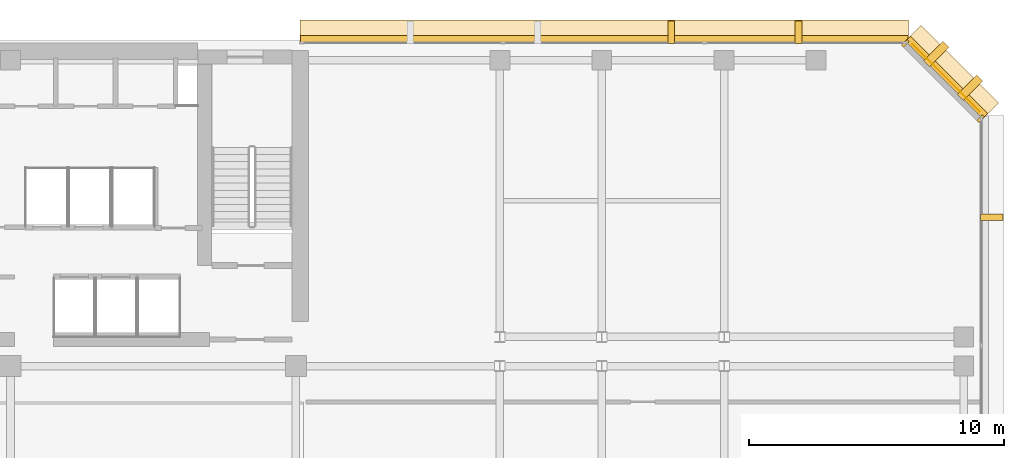
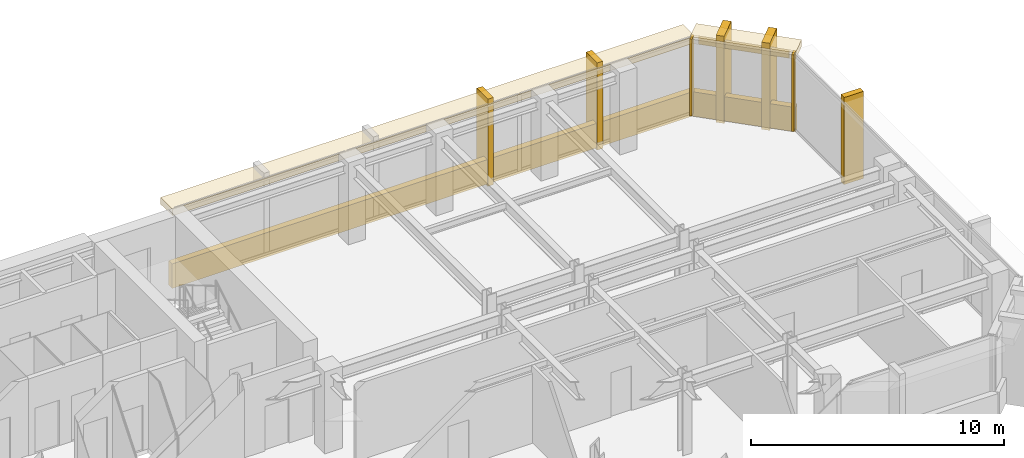
# One storey, part 12 of 12: 12 coverings.
"""IFC4 building model written with IfcOpenShell, lengths in metres."""

from ifc_helpers import new_model, si_unit, direction, frame, origin, origin_2d, place, context, subcontext, project, spatial, rectangle, extrude, material, layer, layer_set, type_object, element, save


model = new_model("IFC4")

# Units and contexts
model_context = context("Model", 3, precision=1e-05, world=origin(), true_north=direction((0.0, 1.0)))
body_context = subcontext(model_context, "Body", "Model", "MODEL_VIEW")
ifc_project = project(units=[si_unit("LENGTHUNIT", "METRE"), si_unit("AREAUNIT", "SQUARE_METRE"), si_unit("VOLUMEUNIT", "CUBIC_METRE"), si_unit("PLANEANGLEUNIT", "RADIAN"), si_unit("MASSUNIT", "GRAM", prefix="KILO")], contexts=[model_context])

# Site, building, storey
site_placement = place(None, origin())
site = spatial("IfcSite", under=ifc_project, at=site_placement, CompositionType="ELEMENT")
building_placement = place(site_placement, origin())
building = spatial("IfcBuilding", under=site, at=building_placement, Name="Kefirva Bronze Tower", CompositionType="ELEMENT")
storey_placement = place(building_placement, frame((0.0, 0.0, 195.360107421875)))
storey = spatial("IfcBuildingStorey", under=building, at=storey_placement, Name="L47", CompositionType="ELEMENT", Elevation=195.360107421875)

# Coverings
ifc_material = material(Name="Bronze anodised aluminium", Category="aluminium")
ifc_layer_1 = layer(ifc_material, 0.02001953125, Name="Bronze anodised aluminium")
ifc_layer_set_1 = layer_set([ifc_layer_1], Name="Bronze anodised aluminium")
covering_type_1 = type_object("IfcCoveringType", Name="Anodised Bronze Spandrel Cladding 20mm", PredefinedType="CLADDING", material=ifc_layer_set_1)
covering_1_placement = place(storey_placement, frame((48.70703125, 44.507080078125, 3.2900390625), z_axis=(0.0, 0.0, 1.0), x_axis=(-0.707106781187, 0.707106781187, 0.0)))
element("IfcCovering", 1, at=covering_1_placement, inside=storey, type_object=covering_type_1, Name="L47 Bronze Spandrel Cladding 5", PredefinedType="CLADDING", context=body_context, shape_type="SweptSolid", body=[
    extrude(rectangle(XDim=3.719482421875, YDim=0.02001953125, at=origin_2d()), origin(), (0.0, 0.0, 1.0), 0.39990234375),
])
for number, where, z_axis, x_axis, name in (
    (2, (50.06201171875, 42.91162109375, 0.0), (0.0, 0.0, 1.0), (-0.707106781187, 0.707106781187, 0.0), "L47 Facade Joint Closure Panel 5S"),
    (3, (47.11181640625, 45.862060546875, 0.0), (0.0, 0.0, 1.0), (-0.707106781187, 0.707106781187, 0.0), "L47 Facade Joint Closure Panel 5E"),
):
    element("IfcCovering", number, at=place(storey_placement, frame(where, z_axis=z_axis, x_axis=x_axis)), inside=storey, type_object=covering_type_1, Name=name, PredefinedType="CLADDING", context=body_context, shape_type="SweptSolid", body=[
        extrude(rectangle(XDim=0.10009765625, YDim=0.320068359375, at=origin_2d()), origin(), (0.0, 0.0, 1.0), 3.7099609375),
    ])
covering_2_placement = place(storey_placement, frame((48.728271484375, 44.5283203125, -0.16015625), z_axis=(0.0, 0.0, 1.0), x_axis=(-0.707106781187, 0.707106781187, 0.0)))
element("IfcCovering", 4, at=covering_2_placement, inside=storey, type_object=covering_type_1, Name="L47 Streamline Horizontal Spandrel Band 7", PredefinedType="CLADDING", context=body_context, shape_type="SweptSolid", body=[
    extrude(rectangle(XDim=4.28271484375, YDim=0.280029296875, at=origin_2d()), origin(), (0.0, 0.0, 1.0), 1.179931640625),
])
covering_3_placement = place(storey_placement, frame((35.302490234375, 46.0400390625, -0.16015625), z_axis=(0.0, 0.0, 1.0), x_axis=(-1.0, 0.0, 0.0)))
element("IfcCovering", 5, at=covering_3_placement, inside=storey, type_object=covering_type_1, Name="L47 Streamline Horizontal Spandrel Band 8", PredefinedType="CLADDING", context=body_context, shape_type="SweptSolid", body=[
    extrude(rectangle(XDim=23.8349609375, YDim=0.280029296875, at=origin_2d()), origin(), (0.0, 0.0, 1.0), 1.179931640625),
])
ifc_layer_2 = layer(ifc_material, 0.179931640625, Name="Bronze anodised aluminium")
ifc_layer_set_2 = layer_set([ifc_layer_2], Name="Bronze anodised aluminium")
covering_type_2 = type_object("IfcCoveringType", Name="Streamline Bronze Sunshade Eyebrow Cladding 180mm", PredefinedType="CLADDING", material=ifc_layer_set_2)
covering_4_placement = place(storey_placement, frame((48.919189453125, 44.71923828125, 3.3896484375), z_axis=(0.0, 0.0, 1.0), x_axis=(-0.707106781187, 0.707106781187, 0.0)))
element("IfcCovering", 6, at=covering_4_placement, inside=storey, type_object=covering_type_2, Name="L47 Streamline Bronze Sunshade Eyebrow 7", PredefinedType="CLADDING", context=body_context, shape_type="SweptSolid", body=[
    extrude(rectangle(XDim=4.322509765625, YDim=0.93994140625, at=origin_2d()), origin(), (0.0, 0.0, 1.0), 0.320068359375),
])
covering_5_placement = place(storey_placement, frame((35.302490234375, 46.31005859375, 3.3896484375), z_axis=(0.0, 0.0, 1.0), x_axis=(-1.0, 0.0, 0.0)))
element("IfcCovering", 7, at=covering_5_placement, inside=storey, type_object=covering_type_2, Name="L47 Streamline Bronze Sunshade Eyebrow 8", PredefinedType="CLADDING", context=body_context, shape_type="SweptSolid", body=[
    extrude(rectangle(XDim=23.875, YDim=0.93994140625, at=origin_2d()), origin(), (0.0, 0.0, 1.0), 0.320068359375),
])
ifc_layer_3 = layer(ifc_material, 0.260009765625, Name="Bronze anodised aluminium")
ifc_layer_set_3 = layer_set([ifc_layer_3], Name="Bronze anodised aluminium")
covering_type_3 = type_object("IfcCoveringType", Name="Unbroken Bronze Buttress Fin Cladding 260mm", PredefinedType="CLADDING", material=ifc_layer_set_3)
covering_6_placement = place(storey_placement, frame((50.5, 39.0400390625, -0.25), z_axis=(0.0, 0.0, 1.0), x_axis=(0.0, 1.0, 0.0)))
element("IfcCovering", 8, at=covering_6_placement, inside=storey, type_object=covering_type_3, Name="L47 Unbroken Vertical Bronze Rib Fin 14", PredefinedType="CLADDING", context=body_context, shape_type="SweptSolid", body=[
    extrude(rectangle(XDim=0.260009765625, YDim=0.8798828125, at=origin_2d()), origin(), (0.0, 0.0, 1.0), 4.2099609375),
])
for number, where, z_axis, x_axis, name in (
    (9, (49.642822265625, 44.122802734375, -0.25), (0.0, 0.0, 1.0), (-0.707106781187, 0.707106781187, 0.0), "L47 Chamfered Corner Buttress Fin Cladding 15"),
    (10, (48.32275390625, 45.44287109375, -0.25), (0.0, 0.0, 1.0), (-0.707106781187, 0.707106781187, 0.0), "L47 Chamfered Corner Buttress Fin Cladding 16"),
):
    element("IfcCovering", number, at=place(storey_placement, frame(where, z_axis=z_axis, x_axis=x_axis)), inside=storey, type_object=covering_type_3, Name=name, PredefinedType="CLADDING", context=body_context, shape_type="SweptSolid", body=[
        extrude(rectangle(XDim=0.340087890625, YDim=1.080078125, at=origin_2d()), origin(), (0.0, 0.0, 1.0), 4.2099609375),
    ])
for number, where, z_axis, x_axis, name in (
    (11, (42.9169921875, 46.300048828125, -0.25), (0.0, 0.0, 1.0), (-1.0, 0.0, 0.0), "L47 Unbroken Vertical Bronze Rib Fin 17"),
    (12, (37.919921875, 46.300048828125, -0.25), (0.0, 0.0, 1.0), (-1.0, 0.0, 0.0), "L47 Unbroken Vertical Bronze Rib Fin 18"),
):
    element("IfcCovering", number, at=place(storey_placement, frame(where, z_axis=z_axis, x_axis=x_axis)), inside=storey, type_object=covering_type_3, Name=name, PredefinedType="CLADDING", context=body_context, shape_type="SweptSolid", body=[
        extrude(rectangle(XDim=0.260009765625, YDim=0.8798828125, at=origin_2d()), origin(), (0.0, 0.0, 1.0), 4.2099609375),
    ])

save(model, "model.ifc")
